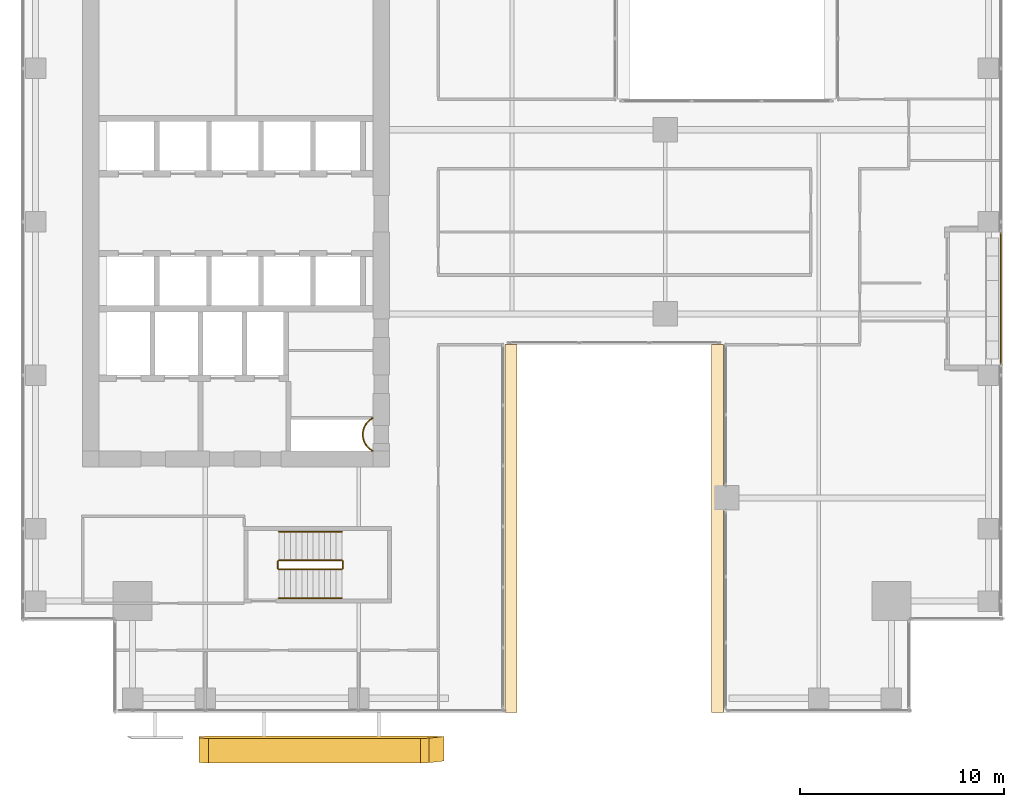
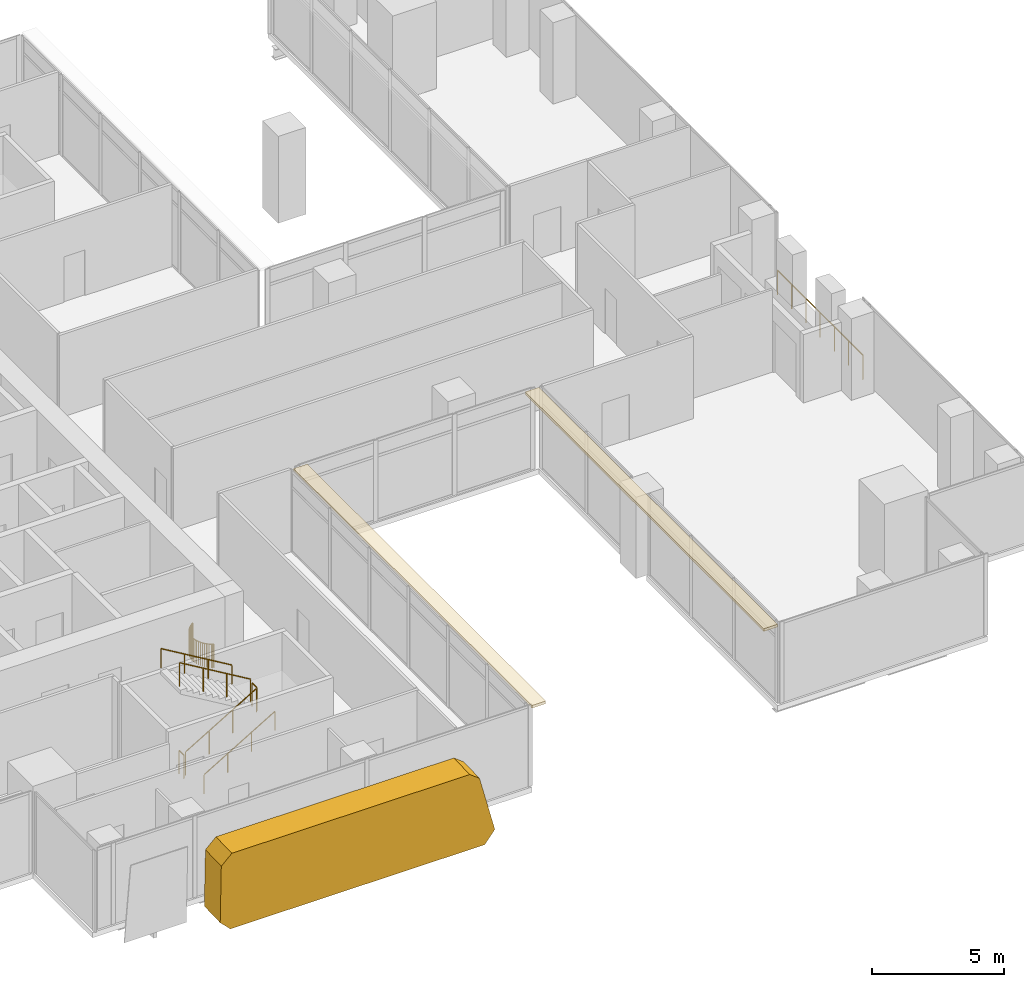
# One storey, part 36 of 38: 8 railings, 3 coverings.
"""IFC4 building model written with IfcOpenShell, lengths in metres."""

import ifcopenshell
import ifcopenshell.guid

model = None  # the IFC model being written
_history = None  # IfcOwnerHistory: only IFC2X3 demands one
_inside = {}  # id of a spatial element -> (the spatial element, [elements in it])
_under = {}  # id of a project, library or spatial element -> (it, [spatial elements below it])
_declared = {}  # id of a project -> (the project, [libraries it declares])
_typed = {}  # id of a type object -> (the type object, [elements of that type])
_made_of = {}  # id of a material, layer set ... -> (it, [elements and type objects made of it])


def new_model(schema):
    """Start an empty IFC model of exactly this schema.

    Asked for "IFC4X3", IfcOpenShell would pick the latest addendum, in which some entities
    have other attributes; the version numbers below select the first issue.
    IFC2X3 requires an IfcOwnerHistory on every rooted entity: one is made here for all.
    """
    global model, _history
    if schema == "IFC4X3":
        model = ifcopenshell.file(schema_version=(4, 3, 0, 0))
    else:
        model = ifcopenshell.file(schema=schema)
    _inside.clear()
    _under.clear()
    _declared.clear()
    _typed.clear()
    _made_of.clear()
    _history = None
    if model.schema == "IFC2X3":
        org = make("IfcOrganization", Name="unknown")
        user = make(
            "IfcPersonAndOrganization",
            ThePerson=make("IfcPerson", FamilyName="unknown"),
            TheOrganization=org,
        )
        app = make(
            "IfcApplication",
            ApplicationDeveloper=org,
            Version="unknown",
            ApplicationFullName="unknown",
            ApplicationIdentifier="unknown",
        )
        _history = make(
            "IfcOwnerHistory",
            OwningUser=user,
            OwningApplication=app,
            ChangeAction="ADDED",
            CreationDate=0,
        )
    return model


def make(cls, **values):
    """One entity of the class cls with the attributes given. An attribute that is None is left unset."""
    return model.create_entity(
        cls, **{name: value for name, value in values.items() if value is not None}
    )


def rooted(cls, **values):
    """An entity with a GlobalId (a new one), such as an element, a storey or a relation."""
    return make(cls, GlobalId=ifcopenshell.guid.new(), OwnerHistory=_history, **values)


def si_unit(unit_type, name, prefix=None):
    """IfcSIUnit, for example si_unit("LENGTHUNIT", "METRE", prefix="MILLI")."""
    return make("IfcSIUnit", UnitType=unit_type, Prefix=prefix, Name=name)


def assignment(units):
    """IfcUnitAssignment: the units of a project."""
    return None if units is None else make("IfcUnitAssignment", Units=units)


def point(xyz):
    """IfcCartesianPoint."""
    return None if xyz is None else make("IfcCartesianPoint", Coordinates=xyz)


def direction(xyz):
    """IfcDirection."""
    return None if xyz is None else make("IfcDirection", DirectionRatios=xyz)


def frame(location, z_axis=None, x_axis=None):
    """IfcAxis2Placement3D, a coordinate frame: its origin and axes. An axis left out is left unset."""
    return make(
        "IfcAxis2Placement3D",
        Location=point(location),
        Axis=direction(z_axis),
        RefDirection=direction(x_axis),
    )


def frame_2d(location, x_axis=None):
    """IfcAxis2Placement2D, a coordinate frame in the plane: its origin and x axis."""
    return make(
        "IfcAxis2Placement2D", Location=point(location), RefDirection=direction(x_axis)
    )


def origin():
    """The frame at (0, 0, 0) with its axes left unset."""
    return frame((0.0, 0.0, 0.0))


def origin_2d():
    """The frame at (0, 0) in the plane with its x axis left unset."""
    return frame_2d((0.0, 0.0))


def place(relative_to, where):
    """IfcLocalPlacement: puts the frame where relative to a parent placement (None: the world)."""
    return make(
        "IfcLocalPlacement", PlacementRelTo=relative_to, RelativePlacement=where
    )


def context(
    kind, dimensions, precision=None, world=None, true_north=None, identifier=None
):
    """IfcGeometricRepresentationContext, for example the 3D "Model" context."""
    return make(
        "IfcGeometricRepresentationContext",
        ContextIdentifier=identifier,
        ContextType=kind,
        CoordinateSpaceDimension=dimensions,
        Precision=precision,
        WorldCoordinateSystem=world,
        TrueNorth=true_north,
    )


def subcontext(parent, identifier, kind, view, scale=None):
    """IfcGeometricRepresentationSubContext, for example "Body" below "Model"."""
    return make(
        "IfcGeometricRepresentationSubContext",
        ContextIdentifier=identifier,
        ContextType=kind,
        ParentContext=parent,
        TargetScale=scale,
        TargetView=view,
    )


def project(units=None, contexts=None):
    """IfcProject with its units and contexts."""
    return rooted(
        "IfcProject",
        Name="project",
        RepresentationContexts=contexts,
        UnitsInContext=assignment(units),
    )


def spatial(cls, under=None, at=None, **own):
    """A site, building, storey or space (cls), placed at a placement, below another one or the project."""
    s = rooted(cls, ObjectPlacement=at, **own)
    if under is not None:
        _under.setdefault(under.id(), (under, []))[1].append(s)
    return s


def polyline(points):
    """IfcPolyline through the points."""
    return make("IfcPolyline", Points=[point(p) for p in points])


def profile(cls, at=None, kind="AREA", **sizes):
    """A parametric profile (cls). Its sizes go by their IFC names, for example OverallWidth=200.0."""
    return make(cls, ProfileType=kind, Position=at, **sizes)


def circle(**sizes):
    """IfcCircleProfileDef."""
    return profile("IfcCircleProfileDef", **sizes)


def outline(outer, holes=None, kind="AREA"):
    """IfcArbitraryClosedProfileDef: a profile drawn as a closed curve; with holes, ...WithVoids."""
    if holes is None:
        return make("IfcArbitraryClosedProfileDef", ProfileType=kind, OuterCurve=outer)
    return make(
        "IfcArbitraryProfileDefWithVoids",
        ProfileType=kind,
        OuterCurve=outer,
        InnerCurves=holes,
    )


def extrude(swept, where, along, depth):
    """IfcExtrudedAreaSolid: the profile swept, set in the frame where, extruded along a direction by depth."""
    return make(
        "IfcExtrudedAreaSolid",
        SweptArea=swept,
        Position=where,
        ExtrudedDirection=direction(along),
        Depth=depth,
    )


def shape(context_of_items, identifier, shape_type, items):
    """IfcShapeRepresentation: the items that make up one representation, for example the "Body"."""
    return make(
        "IfcShapeRepresentation",
        ContextOfItems=context_of_items,
        RepresentationIdentifier=identifier,
        RepresentationType=shape_type,
        Items=items,
    )


def source(mapping_origin, context_of_items, identifier, shape_type, items):
    """IfcRepresentationMap: a shape defined once, which mapped items show again and again."""
    return make(
        "IfcRepresentationMap",
        MappingOrigin=mapping_origin,
        MappedRepresentation=shape(context_of_items, identifier, shape_type, items),
    )


def transform(
    local_origin,
    x_axis=None,
    y_axis=None,
    z_axis=None,
    scale=None,
    scale2=None,
    scale3=None,
    uniform=True,
):
    """IfcCartesianTransformationOperator3D, or its non-uniform kind. x_axis, y_axis, z_axis: its Axis1, 2, 3."""
    if uniform:
        return make(
            "IfcCartesianTransformationOperator3D",
            Axis1=direction(x_axis),
            Axis2=direction(y_axis),
            LocalOrigin=point(local_origin),
            Scale=scale,
            Axis3=direction(z_axis),
        )
    return make(
        "IfcCartesianTransformationOperator3DnonUniform",
        Axis1=direction(x_axis),
        Axis2=direction(y_axis),
        LocalOrigin=point(local_origin),
        Scale=scale,
        Axis3=direction(z_axis),
        Scale2=scale2,
        Scale3=scale3,
    )


def mapped(mapping_source, mapping_target):
    """IfcMappedItem: shows the shape of a source again, moved by a transform."""
    return make(
        "IfcMappedItem", MappingSource=mapping_source, MappingTarget=mapping_target
    )


def material(Name=None, Category=None):
    """IfcMaterial."""
    return make("IfcMaterial", Name=Name, Category=Category)


def layer(
    of_material, thickness, ventilated=None, Name=None, Category=None, Priority=None
):
    """IfcMaterialLayer: one layer of a wall or slab, of a material (None: an air gap)."""
    return make(
        "IfcMaterialLayer",
        Material=of_material,
        LayerThickness=thickness,
        IsVentilated=ventilated,
        Name=Name,
        Category=Category,
        Priority=Priority,
    )


def layer_set(layers, Name=None):
    """IfcMaterialLayerSet."""
    return make("IfcMaterialLayerSet", MaterialLayers=layers, LayerSetName=Name)


def made_of(thing, what):
    """Note that an element or type object is made of a material, layer set ...; save() writes the relation."""
    if what is not None:
        _made_of.setdefault(what.id(), (what, []))[1].append(thing)
    return thing


def type_object(cls, material=None, **own):
    """A type object (cls), such as IfcWallType, which elements share."""
    return made_of(rooted(cls, **own), material)


def element(
    cls,
    number,
    at=None,
    inside=None,
    cuts=None,
    type_object=None,
    material=None,
    context=None,
    identifier="Body",
    shape_type=None,
    held_by="IfcProductDefinitionShape",
    body=None,
    shapes=None,
    **own,
):
    """One element of the class cls, such as IfcWall. Its Tag is "e" and its number.

    at: its placement. inside: the storey or other place that contains it. cuts: it is an
    opening in that element (IfcRelVoidsElement). A single representation is given by context,
    identifier, shape_type and body (its items); several are given by shapes. held_by: the class
    of the entity that holds the representations. save() writes the other relations.
    """
    e = rooted(cls, Tag="e%d" % number, ObjectPlacement=at, **own)
    if body is not None:
        shapes = [shape(context, identifier, shape_type, body)]
    if shapes is not None:
        e.Representation = make(held_by, Representations=shapes)
    if inside is not None:
        _inside.setdefault(inside.id(), (inside, []))[1].append(e)
    if cuts is not None:
        rooted(
            "IfcRelVoidsElement", RelatingBuildingElement=cuts, RelatedOpeningElement=e
        )
    if type_object is not None:
        _typed.setdefault(type_object.id(), (type_object, []))[1].append(e)
    return made_of(e, material)


def aggregate(whole, parts):
    """IfcRelAggregates: a whole, such as a stair, and the parts it consists of."""
    return rooted("IfcRelAggregates", RelatingObject=whole, RelatedObjects=parts)


def save(model, path):
    """Write the relations noted so far, then the file.

    IfcRelAggregates (storeys below a building ...), IfcRelContainedInSpatialStructure (elements
    in a storey), IfcRelDefinesByType, IfcRelAssociatesMaterial and IfcRelDeclares: one each for
    every whole, place, type object, material and project.
    """
    for whole, parts in _under.values():
        aggregate(whole, parts)
    for where, things in _inside.values():
        rooted(
            "IfcRelContainedInSpatialStructure",
            RelatedElements=things,
            RelatingStructure=where,
        )
    for kind, things in _typed.values():
        rooted("IfcRelDefinesByType", RelatedObjects=things, RelatingType=kind)
    for what, things in _made_of.values():
        rooted("IfcRelAssociatesMaterial", RelatedObjects=things, RelatingMaterial=what)
    for by, libraries in _declared.values():
        rooted("IfcRelDeclares", RelatingContext=by, RelatedDefinitions=libraries)
    model.write(path)


model = new_model("IFC4")

# Units and contexts
model_context = context("Model", 3, precision=1e-05, world=origin(), true_north=direction((0.0, 1.0)))
body_context = subcontext(model_context, "Body", "Model", "MODEL_VIEW")
ifc_project = project(units=[si_unit("LENGTHUNIT", "METRE"), si_unit("AREAUNIT", "SQUARE_METRE"), si_unit("VOLUMEUNIT", "CUBIC_METRE"), si_unit("PLANEANGLEUNIT", "RADIAN"), si_unit("MASSUNIT", "GRAM", prefix="KILO")], contexts=[model_context])

# Site, building, storey
site_placement = place(None, origin())
site = spatial("IfcSite", under=ifc_project, at=site_placement, CompositionType="ELEMENT")
building_placement = place(site_placement, origin())
building = spatial("IfcBuilding", under=site, at=building_placement, Name="Khomas Fold Tower", CompositionType="ELEMENT")
storey_placement = place(building_placement, frame((0.0, 0.0, 172.699951171875)))
storey = spatial("IfcBuildingStorey", under=building, at=storey_placement, Name="L37", CompositionType="ELEMENT", Elevation=172.699951171875)

# Covering
ifc_material_1 = material(Name="Natural stone cladding", Category="masonry")
ifc_layer_1 = layer(ifc_material_1, 1.199951171875)
ifc_layer_set_1 = layer_set([ifc_layer_1], Name="Natural stone cladding")
covering_type_1 = type_object("IfcCoveringType", Name="SK-Karibib marble stone panel", PredefinedType="CLADDING", material=ifc_layer_set_1)
covering_1_placement = place(storey_placement, frame((22.951416015625, 1.748779296875, 3.217041015625), z_axis=(-2.02487e-07, 0.99951070587, 0.031278568572), x_axis=(0.260084226078, 0.030202198477, -0.965113476516)))
element("IfcCovering", 1, at=covering_1_placement, inside=storey, type_object=covering_type_1, Name="OUTER SKIN leaf L37 SS03-1", PredefinedType="CLADDING", context=body_context, shape_type="SweptSolid", body=[
    extrude(outline(polyline([(0.0, 0.0), (2.745692573941325, -2.220446049250313e-16), (3.1805591374218953, 0.5671916159760738), (0.298551604895696, 11.266902152706631), (-0.25315520501449784, 11.584285538814573), (-2.813354310254267, 10.894686219228168), (-3.1310033419608705, 10.343138546565417), (-0.43472490154357946, 0.3329638633630355), (0.0, 0.0)])), origin(), (0.0, 0.0, -1.0), 1.199951171875),
])

# Railing
ifc_material_2 = material(Name="Powder-coated steel", Category="steel")
railing_type_1 = type_object("IfcRailingType", Name="Balcony guard", PredefinedType="GUARDRAIL", material=ifc_material_2)
shared_shape_1 = source(origin(), body_context, "Body", "SweptSolid", [
    extrude(circle(Radius=0.02490234375, at=origin_2d()), frame((0.0, 0.0, 1.125), z_axis=(0.0, 1.0, 0.0), x_axis=(-1.0, 0.0, 0.0)), (0.0, 0.0, 1.0), 6.43994140625),
    extrude(circle(Radius=0.02001953125, at=origin_2d()), origin(), (0.0, 0.0, 1.0), 1.099853515625),
    extrude(circle(Radius=0.02001953125, at=origin_2d()), frame((0.0, 1.0732421875, 0.0)), (0.0, 0.0, 1.0), 1.099853515625),
    extrude(circle(Radius=0.02001953125, at=origin_2d()), frame((0.0, 2.146728515625, 0.0)), (0.0, 0.0, 1.0), 1.099853515625),
    extrude(circle(Radius=0.02001953125, at=origin_2d()), frame((0.0, 3.219970703125, 0.0)), (0.0, 0.0, 1.0), 1.099853515625),
    extrude(circle(Radius=0.02001953125, at=origin_2d()), frame((0.0, 4.293212890625, 0.0)), (0.0, 0.0, 1.0), 1.099853515625),
    extrude(circle(Radius=0.02001953125, at=origin_2d()), frame((0.0, 5.36669921875, 0.0)), (0.0, 0.0, 1.0), 1.099853515625),
    extrude(circle(Radius=0.02001953125, at=origin_2d()), frame((0.0, 6.43994140625, 0.0)), (0.0, 0.0, 1.0), 1.099853515625),
])
railing_1_placement = place(storey_placement, frame((50.89990234375, 20.030029296875, -0.044921875)))
element("IfcRailing", 2, at=railing_1_placement, inside=storey, type_object=railing_type_1, Name="Balcony guard BAL-L37-E2", PredefinedType="GUARDRAIL", context=body_context, shape_type="MappedRepresentation", body=[
    mapped(shared_shape_1, transform((0.0, 0.0, 0.0))),
])

# Coverings
ifc_material_3 = material(Name="Natural stone cladding", Category="masonry")
ifc_layer_2 = layer(ifc_material_3, 0.1201171875)
ifc_layer_set_2 = layer_set([ifc_layer_2], Name="Natural stone cladding")
covering_type_2 = type_object("IfcCoveringType", Name="Notch soffit stone GN-SF", PredefinedType="CLADDING", material=ifc_layer_set_2)
shared_shape_2 = source(origin(), body_context, "Body", "SweptSolid", [
    extrude(outline(polyline([(36.75, 21.0), (36.75, 3.0), (37.35009765625, 3.0), (37.35009765625, 21.0), (36.75, 21.0)])), origin(), (0.0, 0.0, 1.0), 0.119873046875),
])
covering_2_placement = place(storey_placement, frame((0.0, 0.0, 3.630126953125)))
element("IfcCovering", 3, at=covering_2_placement, inside=storey, type_object=covering_type_2, Name="Notch soffit stone", PredefinedType="CLADDING", context=body_context, shape_type="MappedRepresentation", body=[
    mapped(shared_shape_2, transform((0.0, 0.0, 0.0))),
])
shared_shape_3 = source(origin(), body_context, "Body", "SweptSolid", [
    extrude(outline(polyline([(27.25, 3.0), (27.25, 21.0), (26.64990234375, 21.0), (26.64990234375, 3.0), (27.25, 3.0)])), origin(), (0.0, 0.0, 1.0), 0.119873046875),
])
covering_3_placement = place(storey_placement, frame((0.0, 0.0, 3.630126953125)))
element("IfcCovering", 4, at=covering_3_placement, inside=storey, type_object=covering_type_2, Name="Notch soffit stone", PredefinedType="CLADDING", context=body_context, shape_type="MappedRepresentation", body=[
    mapped(shared_shape_3, transform((0.0, 0.0, 0.0))),
])

# Railings
ifc_material_4 = material(Name="Steel balustrade", Category="steel")
railing_type_2 = type_object("IfcRailingType", Name="Stair guard", PredefinedType="GUARDRAIL", material=ifc_material_4)
shared_shape_4 = source(origin(), body_context, "Body", "SweptSolid", [
    extrude(circle(Radius=0.02392578125, at=origin_2d()), frame((0.0, 0.0, 1.076171875), z_axis=(0.0, 1.0, 0.0), x_axis=(-1.0, 0.0, 0.0)), (0.0, 0.0, 1.0), 0.349853515625),
    extrude(circle(Radius=0.02099609375, at=origin_2d()), origin(), (0.0, 0.0, 1.0), 1.052001953125),
    extrude(circle(Radius=0.02099609375, at=origin_2d()), frame((0.0, 0.349853515625, 0.0)), (0.0, 0.0, 1.0), 1.052001953125),
])
for number, where, name in (
    (5, (18.72998046875, 10.050048828125, 2.0), "L37 ST2 stair guard 2"),
    (6, (15.550048828125, 10.050048828125, 0.0), "L37 ST2 stair guard 4"),
):
    element("IfcRailing", number, at=place(storey_placement, frame(where)), inside=storey, type_object=railing_type_2, Name=name, PredefinedType="GUARDRAIL", context=body_context, shape_type="MappedRepresentation", body=[
        mapped(shared_shape_4, transform((0.0, 0.0, 0.0))),
    ])
shared_shape_5 = source(origin(), body_context, "Body", "SweptSolid", [
    extrude(circle(Radius=0.02392578125, at=origin_2d()), frame((0.0, 0.0, 1.076171875), z_axis=(0.859290745958, 0.0, 0.51148745235), x_axis=(0.0, 1.0, 0.0)), (0.0, 0.0, 1.0), 3.584228515625),
    extrude(circle(Radius=0.02099609375, at=origin_2d()), origin(), (0.0, 0.0, 1.0), 1.052001953125),
    extrude(circle(Radius=0.02099609375, at=origin_2d()), frame((1.026611328125, 0.0, 0.611083984375)), (0.0, 0.0, 1.0), 1.052001953125),
    extrude(circle(Radius=0.02099609375, at=origin_2d()), frame((2.05322265625, 0.0, 1.22216796875)), (0.0, 0.0, 1.0), 1.052001953125),
    extrude(circle(Radius=0.02099609375, at=origin_2d()), frame((3.079833984375, 0.0, 1.833251953125)), (0.0, 0.0, 1.0), 1.052001953125),
])
railing_2_placement = place(storey_placement, frame((15.60009765625, 10.0, 0.166748046875)))
element("IfcRailing", 7, at=railing_2_placement, inside=storey, type_object=railing_type_2, Name="L37 ST2 stair guard 1", PredefinedType="GUARDRAIL", context=body_context, shape_type="MappedRepresentation", body=[
    mapped(shared_shape_5, transform((0.0, 0.0, 0.0))),
])
shared_shape_6 = source(origin(), body_context, "Body", "SweptSolid", [
    extrude(circle(Radius=0.02392578125, at=origin_2d()), frame((0.0, 0.0, 1.076171875), z_axis=(-0.859290745958, 0.0, 0.51148745235), x_axis=(0.0, -1.0, 0.0)), (0.0, 0.0, 1.0), 3.584228515625),
    extrude(circle(Radius=0.02099609375, at=origin_2d()), origin(), (0.0, 0.0, 1.0), 1.052001953125),
    extrude(circle(Radius=0.02099609375, at=origin_2d()), frame((-1.026611328125, 0.0, 0.611083984375)), (0.0, 0.0, 1.0), 1.052001953125),
    extrude(circle(Radius=0.02099609375, at=origin_2d()), frame((-2.05322265625, 0.0, 1.22216796875)), (0.0, 0.0, 1.0), 1.052001953125),
    extrude(circle(Radius=0.02099609375, at=origin_2d()), frame((-3.079833984375, 0.0, 1.833251953125)), (0.0, 0.0, 1.0), 1.052001953125),
])
railing_3_placement = place(storey_placement, frame((18.679931640625, 10.449951171875, 2.166748046875)))
element("IfcRailing", 8, at=railing_3_placement, inside=storey, type_object=railing_type_2, Name="L37 ST2 stair guard 3", PredefinedType="GUARDRAIL", context=body_context, shape_type="MappedRepresentation", body=[
    mapped(shared_shape_6, transform((0.0, 0.0, 0.0))),
])
ifc_material_5 = material(Name="Steel handrail", Category="steel")
railing_type_3 = type_object("IfcRailingType", Name="Stair handrail", PredefinedType="HANDRAIL", material=ifc_material_5)
shared_shape_7 = source(origin(), body_context, "Body", "SweptSolid", [
    extrude(circle(Radius=0.02392578125, at=origin_2d()), frame((0.0, 0.0, 0.8759765625), z_axis=(0.859290745958, 0.0, 0.51148745235), x_axis=(0.0, 1.0, 0.0)), (0.0, 0.0, 1.0), 3.584228515625),
    extrude(circle(Radius=0.02099609375, at=origin_2d()), origin(), (0.0, 0.0, 1.0), 0.851806640625),
    extrude(circle(Radius=0.02099609375, at=origin_2d()), frame((1.026611328125, 0.0, 0.611083984375)), (0.0, 0.0, 1.0), 0.851806640625),
    extrude(circle(Radius=0.02099609375, at=origin_2d()), frame((2.05322265625, 0.0, 1.22216796875)), (0.0, 0.0, 1.0), 0.851806640625),
    extrude(circle(Radius=0.02099609375, at=origin_2d()), frame((3.079833984375, 0.0, 1.833251953125)), (0.0, 0.0, 1.0), 0.851806640625),
])
railing_4_placement = place(storey_placement, frame((15.60009765625, 8.60009765625, 0.166748046875)))
element("IfcRailing", 9, at=railing_4_placement, inside=storey, type_object=railing_type_3, Name="L37 ST2 stair handrail 1", PredefinedType="HANDRAIL", context=body_context, shape_type="MappedRepresentation", body=[
    mapped(shared_shape_7, transform((0.0, 0.0, 0.0))),
])
shared_shape_8 = source(origin(), body_context, "Body", "SweptSolid", [
    extrude(circle(Radius=0.02392578125, at=origin_2d()), frame((0.0, 0.0, 0.8759765625), z_axis=(-0.859290745958, 0.0, 0.51148745235), x_axis=(0.0, -1.0, 0.0)), (0.0, 0.0, 1.0), 3.584228515625),
    extrude(circle(Radius=0.02099609375, at=origin_2d()), origin(), (0.0, 0.0, 1.0), 0.851806640625),
    extrude(circle(Radius=0.02099609375, at=origin_2d()), frame((-1.026611328125, 0.0, 0.611083984375)), (0.0, 0.0, 1.0), 0.851806640625),
    extrude(circle(Radius=0.02099609375, at=origin_2d()), frame((-2.05322265625, 0.0, 1.22216796875)), (0.0, 0.0, 1.0), 0.851806640625),
    extrude(circle(Radius=0.02099609375, at=origin_2d()), frame((-3.079833984375, 0.0, 1.833251953125)), (0.0, 0.0, 1.0), 0.851806640625),
])
railing_5_placement = place(storey_placement, frame((18.679931640625, 11.85009765625, 2.166748046875)))
element("IfcRailing", 10, at=railing_5_placement, inside=storey, type_object=railing_type_3, Name="L37 ST2 stair handrail 2", PredefinedType="HANDRAIL", context=body_context, shape_type="MappedRepresentation", body=[
    mapped(shared_shape_8, transform((0.0, 0.0, 0.0))),
])
ifc_material_6 = material(Name="Steel balustrade", Category="steel")
railing_type_4 = type_object("IfcRailingType", Name="Shaft guard", PredefinedType="GUARDRAIL", material=ifc_material_6)
shared_shape_9 = source(origin(), body_context, "Body", "SweptSolid", [
    extrude(circle(Radius=0.02490234375, at=origin_2d()), frame((0.0, 0.0, 1.0751953125), z_axis=(1.0, 0.0, 0.0), x_axis=(0.0, 1.0, 0.0)), (0.0, 0.0, 1.0), 0.06103515625),
    extrude(circle(Radius=0.02490234375, at=origin_2d()), frame((0.06103515625, 0.0, 1.0751953125), z_axis=(-0.90746690712, -0.420123568111, 0.0), x_axis=(0.420123568111, -0.90746690712, 0.0)), (0.0, 0.0, 1.0), 0.0146484375),
    extrude(circle(Radius=0.02490234375, at=origin_2d()), frame((0.0478515625, -0.006103515625, 1.0751953125), z_axis=(-0.857492925713, -0.514495755428, 0.0), x_axis=(0.514495755428, -0.857492925713, 0.0)), (0.0, 0.0, 1.0), 0.08837890625),
    extrude(circle(Radius=0.02490234375, at=origin_2d()), frame((-0.02783203125, -0.051513671875, 1.0751953125), z_axis=(-0.802970227885, -0.596019138224, 0.0), x_axis=(0.596019138224, -0.802970227885, 0.0)), (0.0, 0.0, 1.0), 0.08837890625),
    extrude(circle(Radius=0.02490234375, at=origin_2d()), frame((-0.098876953125, -0.104248046875, 1.0751953125), z_axis=(-0.740814996175, -0.671709119666, 0.0), x_axis=(0.671709119666, -0.740814996175, 0.0)), (0.0, 0.0, 1.0), 0.08837890625),
    extrude(circle(Radius=0.02490234375, at=origin_2d()), frame((-0.164306640625, -0.16357421875, 1.0751953125), z_axis=(-0.671709119666, -0.740814996175, 0.0), x_axis=(0.740814996175, -0.671709119666, 0.0)), (0.0, 0.0, 1.0), 0.08837890625),
    extrude(circle(Radius=0.02490234375, at=origin_2d()), frame((-0.2236328125, -0.22900390625, 1.0751953125), z_axis=(-0.595558727233, -0.803311771616, 0.0), x_axis=(0.803311771616, -0.595558727233, 0.0)), (0.0, 0.0, 1.0), 0.088134765625),
    extrude(circle(Radius=0.02490234375, at=origin_2d()), frame((-0.276123046875, -0.2998046875, 1.0751953125), z_axis=(-0.514495755428, -0.857492925713, 0.0), x_axis=(0.857492925713, -0.514495755428, 0.0)), (0.0, 0.0, 1.0), 0.08837890625),
    extrude(circle(Radius=0.02490234375, at=origin_2d()), frame((-0.321533203125, -0.37548828125, 1.0751953125), z_axis=(-0.427256721383, -0.904130352346, 0.0), x_axis=(0.904130352346, -0.427256721383, 0.0)), (0.0, 0.0, 1.0), 0.088623046875),
    extrude(circle(Radius=0.02490234375, at=origin_2d()), frame((-0.359375, -0.45556640625, 1.0751953125), z_axis=(-0.337738989679, -0.941239807302, 0.0), x_axis=(0.941239807302, -0.337738989679, 0.0)), (0.0, 0.0, 1.0), 0.088134765625),
    extrude(circle(Radius=0.02490234375, at=origin_2d()), frame((-0.38916015625, -0.53857421875, 1.0751953125), z_axis=(-0.243185799972, -0.969979724887, 0.0), x_axis=(0.969979724887, -0.243185799972, 0.0)), (0.0, 0.0, 1.0), 0.08837890625),
    extrude(circle(Radius=0.02490234375, at=origin_2d()), frame((-0.41064453125, -0.624267578125, 1.0751953125), z_axis=(-0.146448518259, -0.989218293148, 0.0), x_axis=(0.989218293148, -0.146448518259, 0.0)), (0.0, 0.0, 1.0), 0.08837890625),
    extrude(circle(Radius=0.02490234375, at=origin_2d()), frame((-0.423583984375, -0.711669921875, 1.0751953125), z_axis=(-0.049799629132, -0.998759228712, 0.0), x_axis=(0.998759228712, -0.049799629132, 0.0)), (0.0, 0.0, 1.0), 0.088134765625),
    extrude(circle(Radius=0.02490234375, at=origin_2d()), frame((-0.427978515625, -0.7998046875, 1.0751953125), z_axis=(0.049662400856, -0.998766061669, 0.0), x_axis=(0.998766061669, 0.049662400856, 0.0)), (0.0, 0.0, 1.0), 0.08837890625),
    extrude(circle(Radius=0.02490234375, at=origin_2d()), frame((-0.423583984375, -0.88818359375, 1.0751953125), z_axis=(0.146448518259, -0.989218293148, 0.0), x_axis=(0.989218293148, 0.146448518259, 0.0)), (0.0, 0.0, 1.0), 0.08837890625),
    extrude(circle(Radius=0.02490234375, at=origin_2d()), frame((-0.41064453125, -0.9755859375, 1.0751953125), z_axis=(0.243185799972, -0.969979724887, 0.0), x_axis=(0.969979724887, 0.243185799972, 0.0)), (0.0, 0.0, 1.0), 0.08837890625),
    extrude(circle(Radius=0.02490234375, at=origin_2d()), frame((-0.38916015625, -1.061279296875, 1.0751953125), z_axis=(0.337738989679, -0.941239807302, 0.0), x_axis=(0.941239807302, 0.337738989679, 0.0)), (0.0, 0.0, 1.0), 0.088134765625),
    extrude(circle(Radius=0.02490234375, at=origin_2d()), frame((-0.359375, -1.144287109375, 1.0751953125), z_axis=(0.428323905606, -0.903625271828, 0.0), x_axis=(0.903625271828, 0.428323905606, 0.0)), (0.0, 0.0, 1.0), 0.08837890625),
    extrude(circle(Radius=0.02490234375, at=origin_2d()), frame((-0.321533203125, -1.22412109375, 1.0751953125), z_axis=(0.514495755428, -0.857492925713, 0.0), x_axis=(0.857492925713, 0.514495755428, 0.0)), (0.0, 0.0, 1.0), 0.08837890625),
    extrude(circle(Radius=0.02490234375, at=origin_2d()), frame((-0.276123046875, -1.2998046875, 1.0751953125), z_axis=(0.594235623595, -0.804291006819, 0.0), x_axis=(0.804291006819, 0.594235623595, 0.0)), (0.0, 0.0, 1.0), 0.08837890625),
    extrude(circle(Radius=0.02490234375, at=origin_2d()), frame((-0.2236328125, -1.370849609375, 1.0751953125), z_axis=(0.671709119666, -0.740814996175, 0.0), x_axis=(0.740814996175, 0.671709119666, 0.0)), (0.0, 0.0, 1.0), 0.08837890625),
    extrude(circle(Radius=0.02490234375, at=origin_2d()), frame((-0.164306640625, -1.436279296875, 1.0751953125), z_axis=(0.740814996175, -0.671709119666, 0.0), x_axis=(0.671709119666, 0.740814996175, 0.0)), (0.0, 0.0, 1.0), 0.08837890625),
    extrude(circle(Radius=0.02490234375, at=origin_2d()), frame((-0.098876953125, -1.49560546875, 1.0751953125), z_axis=(0.804291006819, -0.594235623595, 0.0), x_axis=(0.594235623595, 0.804291006819, 0.0)), (0.0, 0.0, 1.0), 0.08837890625),
    extrude(circle(Radius=0.02490234375, at=origin_2d()), frame((-0.02783203125, -1.548095703125, 1.0751953125), z_axis=(0.857492925713, -0.514495755428, 0.0), x_axis=(0.514495755428, 0.857492925713, 0.0)), (0.0, 0.0, 1.0), 0.08837890625),
    extrude(circle(Radius=0.02490234375, at=origin_2d()), frame((0.0478515625, -1.593505859375, 1.0751953125), z_axis=(0.901001669759, -0.433815618773, 0.0), x_axis=(0.433815618773, 0.901001669759, 0.0)), (0.0, 0.0, 1.0), 0.0146484375),
    extrude(circle(Radius=0.02490234375, at=origin_2d()), frame((0.06103515625, -1.599853515625, 1.0751953125), z_axis=(-1.0, 0.0, 0.0), x_axis=(0.0, -1.0, 0.0)), (0.0, 0.0, 1.0), 0.06103515625),
    extrude(circle(Radius=0.02001953125, at=origin_2d()), origin(), (0.0, 0.0, 1.0), 1.050048828125),
    extrude(circle(Radius=0.02001953125, at=origin_2d()), frame((0.06103515625, 0.0, 0.0)), (0.0, 0.0, 1.0), 1.050048828125),
    extrude(circle(Radius=0.02001953125, at=origin_2d()), frame((0.0478515625, -0.006103515625, 0.0)), (0.0, 0.0, 1.0), 1.050048828125),
    extrude(circle(Radius=0.02001953125, at=origin_2d()), frame((-0.02783203125, -0.051513671875, 0.0)), (0.0, 0.0, 1.0), 1.050048828125),
    extrude(circle(Radius=0.02001953125, at=origin_2d()), frame((-0.098876953125, -0.104248046875, 0.0)), (0.0, 0.0, 1.0), 1.050048828125),
    extrude(circle(Radius=0.02001953125, at=origin_2d()), frame((-0.164306640625, -0.16357421875, 0.0)), (0.0, 0.0, 1.0), 1.050048828125),
    extrude(circle(Radius=0.02001953125, at=origin_2d()), frame((-0.2236328125, -0.22900390625, 0.0)), (0.0, 0.0, 1.0), 1.050048828125),
    extrude(circle(Radius=0.02001953125, at=origin_2d()), frame((-0.276123046875, -0.2998046875, 0.0)), (0.0, 0.0, 1.0), 1.050048828125),
    extrude(circle(Radius=0.02001953125, at=origin_2d()), frame((-0.321533203125, -0.37548828125, 0.0)), (0.0, 0.0, 1.0), 1.050048828125),
    extrude(circle(Radius=0.02001953125, at=origin_2d()), frame((-0.359375, -0.45556640625, 0.0)), (0.0, 0.0, 1.0), 1.050048828125),
    extrude(circle(Radius=0.02001953125, at=origin_2d()), frame((-0.38916015625, -0.53857421875, 0.0)), (0.0, 0.0, 1.0), 1.050048828125),
    extrude(circle(Radius=0.02001953125, at=origin_2d()), frame((-0.41064453125, -0.624267578125, 0.0)), (0.0, 0.0, 1.0), 1.050048828125),
    extrude(circle(Radius=0.02001953125, at=origin_2d()), frame((-0.423583984375, -0.711669921875, 0.0)), (0.0, 0.0, 1.0), 1.050048828125),
    extrude(circle(Radius=0.02001953125, at=origin_2d()), frame((-0.427978515625, -0.7998046875, 0.0)), (0.0, 0.0, 1.0), 1.050048828125),
    extrude(circle(Radius=0.02001953125, at=origin_2d()), frame((-0.423583984375, -0.88818359375, 0.0)), (0.0, 0.0, 1.0), 1.050048828125),
    extrude(circle(Radius=0.02001953125, at=origin_2d()), frame((-0.41064453125, -0.9755859375, 0.0)), (0.0, 0.0, 1.0), 1.050048828125),
    extrude(circle(Radius=0.02001953125, at=origin_2d()), frame((-0.38916015625, -1.061279296875, 0.0)), (0.0, 0.0, 1.0), 1.050048828125),
    extrude(circle(Radius=0.02001953125, at=origin_2d()), frame((-0.359375, -1.144287109375, 0.0)), (0.0, 0.0, 1.0), 1.050048828125),
    extrude(circle(Radius=0.02001953125, at=origin_2d()), frame((-0.321533203125, -1.22412109375, 0.0)), (0.0, 0.0, 1.0), 1.050048828125),
    extrude(circle(Radius=0.02001953125, at=origin_2d()), frame((-0.276123046875, -1.2998046875, 0.0)), (0.0, 0.0, 1.0), 1.050048828125),
    extrude(circle(Radius=0.02001953125, at=origin_2d()), frame((-0.2236328125, -1.370849609375, 0.0)), (0.0, 0.0, 1.0), 1.050048828125),
    extrude(circle(Radius=0.02001953125, at=origin_2d()), frame((-0.164306640625, -1.436279296875, 0.0)), (0.0, 0.0, 1.0), 1.050048828125),
    extrude(circle(Radius=0.02001953125, at=origin_2d()), frame((-0.098876953125, -1.49560546875, 0.0)), (0.0, 0.0, 1.0), 1.050048828125),
    extrude(circle(Radius=0.02001953125, at=origin_2d()), frame((-0.02783203125, -1.548095703125, 0.0)), (0.0, 0.0, 1.0), 1.050048828125),
    extrude(circle(Radius=0.02001953125, at=origin_2d()), frame((0.0478515625, -1.593505859375, 0.0)), (0.0, 0.0, 1.0), 1.050048828125),
    extrude(circle(Radius=0.02001953125, at=origin_2d()), frame((0.06103515625, -1.599853515625, 0.0)), (0.0, 0.0, 1.0), 1.050048828125),
    extrude(circle(Radius=0.02001953125, at=origin_2d()), frame((0.0, -1.599853515625, 0.0)), (0.0, 0.0, 1.0), 1.050048828125),
])
railing_6_placement = place(storey_placement, frame((20.1279296875, 17.39990234375, 0.0)))
element("IfcRailing", 11, at=railing_6_placement, inside=storey, type_object=railing_type_4, Name="Shaft guard L37 1", PredefinedType="GUARDRAIL", context=body_context, shape_type="MappedRepresentation", body=[
    mapped(shared_shape_9, transform((0.0, 0.0, 0.0))),
])

save(model, "model.ifc")
